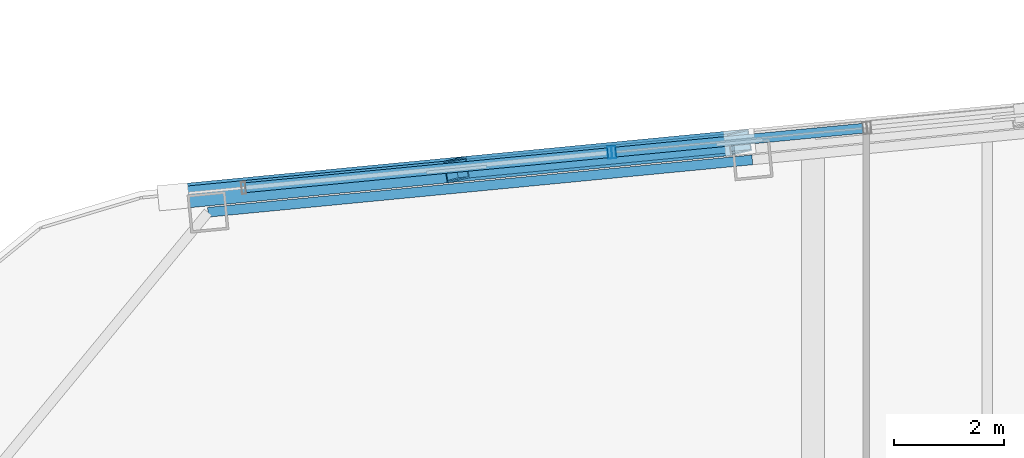
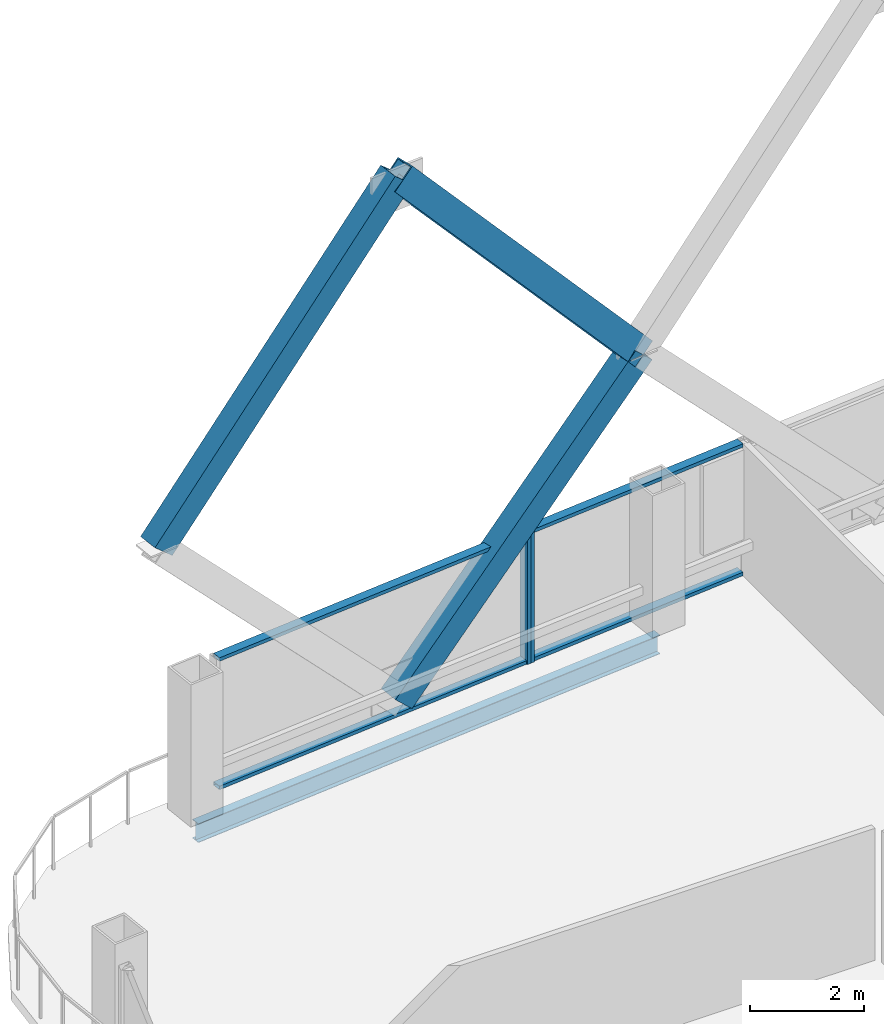
# One storey, part 20 of 34: 9 members, 1 beam, 2 elements without a shape of their own.
"""IFC4 building model written with IfcOpenShell, lengths in metres."""

from ifc_helpers import new_model, si_unit, direction, frame, origin, origin_2d, place, context, subcontext, project, spatial, hollow_rectangle, i_section, extrude, material, layer, layer_set, material_profile, profile_set, type_object, element, aggregate, save


model = new_model("IFC4")

# Units and contexts
model_context = context("Model", 3, precision=1e-05, world=origin(), true_north=direction((0.0, 1.0)))
body_context = subcontext(model_context, "Body", "Model", "MODEL_VIEW")
ifc_project = project(units=[si_unit("LENGTHUNIT", "METRE"), si_unit("AREAUNIT", "SQUARE_METRE"), si_unit("VOLUMEUNIT", "CUBIC_METRE"), si_unit("PLANEANGLEUNIT", "RADIAN"), si_unit("MASSUNIT", "GRAM", prefix="KILO")], contexts=[model_context])

# Site, building, storey
site_placement = place(None, origin())
site = spatial("IfcSite", under=ifc_project, at=site_placement, CompositionType="ELEMENT")
building_placement = place(site_placement, origin())
building = spatial("IfcBuilding", under=site, at=building_placement, Name="Qhalaya Broadcast Tower", CompositionType="ELEMENT")
storey_placement = place(building_placement, frame((0.0, 0.0, 168.35009765625)))
storey = spatial("IfcBuildingStorey", under=building, at=storey_placement, Name="L49", CompositionType="ELEMENT", Elevation=168.35009765625)

# Members
ifc_material_1 = material(Name="Structural Steel ASTM A572 Grade 50", Category="steel")
ifc_material_profile_1 = material_profile(ifc_material_1, hollow_rectangle(XDim=0.39990234375, YDim=0.550048828125, WallThickness=0.02490234375, at=origin_2d()), Name="BOX 400x550x25")
ifc_profile_set_1 = profile_set([ifc_material_profile_1], Name="Structural Steel ASTM A572 Grade 50")
member_type_1 = type_object("IfcMemberType", Name="Exoskeleton Diamond Diagonal Mid-High EX3", PredefinedType="BRACE", material=ifc_profile_set_1)
member_1_placement = place(storey_placement, frame((-15.87060546875, 23.439697265625, 0.35986328125), z_axis=(0.690615647814, 0.066502760768, 0.72015790616), x_axis=(-0.164116501784, 0.984196976573, 0.066498760488)))
element("IfcMember", 1, at=member_1_placement, inside=storey, type_object=member_type_1, Name="B4 Exoskeleton Diamond Brace N3-D1", PredefinedType="BRACE", context=body_context, shape_type="SweptSolid", body=[
    extrude(hollow_rectangle(XDim=0.39990234375, YDim=0.550048828125, WallThickness=0.02490234375, at=origin_2d()), origin(), (0.0, 0.0, 1.0), 7.470703125),
])
member_2_placement = place(storey_placement, frame((-10.711181640625, 23.9365234375, 5.739990234375), z_axis=(-0.659492058015, -0.063505717979, 0.749024198007), x_axis=(0.166870474322, -0.983931783079, 0.063501897979)))
element("IfcMember", 2, at=member_2_placement, inside=storey, type_object=member_type_1, Name="B4 Exoskeleton Diamond Brace N3-D3", PredefinedType="BRACE", context=body_context, shape_type="SweptSolid", body=[
    extrude(hollow_rectangle(XDim=0.39990234375, YDim=0.550048828125, WallThickness=0.02490234375, at=origin_2d()), origin(), (0.0, 0.0, 1.0), 7.8232421875),
])
member_3_placement = place(storey_placement, frame((-21.0302734375, 22.943115234375, 5.739990234375), z_axis=(0.65951099812, 0.06347333066, 0.749010266721), x_axis=(-0.166818573668, 0.983940486369, 0.063503407492)))
element("IfcMember", 3, at=member_3_placement, inside=storey, type_object=member_type_1, Name="B4 Exoskeleton Diamond Brace N3-D4", PredefinedType="BRACE", context=body_context, shape_type="SweptSolid", body=[
    extrude(hollow_rectangle(XDim=0.39990234375, YDim=0.550048828125, WallThickness=0.02490234375, at=origin_2d()), origin(), (0.0, 0.0, 1.0), 7.823486328125),
])

# Curtain wall, member
ifc_material_2 = material(Name="Solar-Control Low-E Triple Glazing", Category="glass")
ifc_layer_1 = layer(ifc_material_2, 0.219970703125, Name="Solar-Control Low-E Triple Glazing")
ifc_layer_set_1 = layer_set([ifc_layer_1], Name="Solar-Control Low-E Triple Glazing")
curtain_wall_type_1 = type_object("IfcCurtainWallType", Name="Even-Block 4-Storey Double-Module Curtain Wall CW-03", PredefinedType="NOTDEFINED", material=ifc_layer_set_1)
curtain_wall_1_placement = place(storey_placement, origin())
curtain_wall_1 = element("IfcCurtainWall", 4, at=curtain_wall_1_placement, inside=storey, type_object=curtain_wall_type_1, Name="L49 Unitised Curtain Wall L49-CW-N4", PredefinedType="NOTDEFINED")
ifc_material_3 = material(Name="Anodised Aluminium 6063-T6", Category="aluminium")
ifc_material_profile_2 = material_profile(ifc_material_3, hollow_rectangle(XDim=0.074951171875, YDim=0.219970703125, WallThickness=0.00390625, at=origin_2d()), Name="ALU-MUL 75x220x4")
ifc_profile_set_2 = profile_set([ifc_material_profile_2], Name="Anodised Aluminium 6063-T6")
member_type_2 = type_object("IfcMemberType", Name="Unitised Curtain-Wall Mullion M01", PredefinedType="MULLION", material=ifc_profile_set_2)
member_4_placement = place(storey_placement, frame((-13.003662109375, 23.756103515625, 0.0), z_axis=(0.0, 0.0, 1.0), x_axis=(-0.995395691478, -0.095851016624, 0.0)))
member_4 = element("IfcMember", 5, at=member_4_placement, type_object=member_type_2, Name="CW-03 mullion 2", PredefinedType="MULLION", context=body_context, shape_type="SweptSolid", body=[
    extrude(hollow_rectangle(XDim=0.074951171875, YDim=0.219970703125, WallThickness=0.00390625, at=origin_2d()), origin(), (0.0, 0.0, 1.0), 2.829833984375),
])

ifc_material_4 = material(Name="Fired Architectural Terracotta", Category="masonry")
ifc_layer_2 = layer(ifc_material_4, 0.219970703125, Name="Fired Architectural Terracotta")
ifc_layer_set_2 = layer_set([ifc_layer_2], Name="Fired Architectural Terracotta")
curtain_wall_type_2 = type_object("IfcCurtainWallType", Name="Block-Cap Unitised Terracotta Spandrel Wall CW-07", PredefinedType="NOTDEFINED", material=ifc_layer_set_2)
curtain_wall_2_placement = place(storey_placement, origin())
curtain_wall_2 = element("IfcCurtainWall", 6, at=curtain_wall_2_placement, inside=storey, type_object=curtain_wall_type_2, Name="L49 Unitised Curtain Wall L49-CW-N5", PredefinedType="NOTDEFINED")
member_5_placement = place(storey_placement, frame((-13.078369140625, 23.748779296875, 0.0), z_axis=(0.0, 0.0, 1.0), x_axis=(-0.99539669829, -0.095840560477, 0.0)))
member_5 = element("IfcMember", 7, at=member_5_placement, type_object=member_type_2, Name="CW-07 mullion 1", PredefinedType="MULLION", context=body_context, shape_type="SweptSolid", body=[
    extrude(hollow_rectangle(XDim=0.074951171875, YDim=0.219970703125, WallThickness=0.00390625, at=origin_2d()), origin(), (0.0, 0.0, 1.0), 2.829833984375),
])

# Member
ifc_material_profile_3 = material_profile(ifc_material_3, hollow_rectangle(XDim=0.074951171875, YDim=0.179931640625, WallThickness=0.00390625, at=origin_2d()), Name="ALU-TRN 75x180x4")
ifc_profile_set_3 = profile_set([ifc_material_profile_3], Name="Anodised Aluminium 6063-T6")
member_type_3 = type_object("IfcMemberType", Name="Unitised Curtain-Wall Transom T01", PredefinedType="USERDEFINED", material=ifc_profile_set_3)
member_6_placement = place(storey_placement, frame((-8.463134765625, 24.193115234375, 0.037353515625), z_axis=(-0.995396463484, -0.095842999141, 0.0), x_axis=(0.0, 0.0, 1.0)))
member_6 = element("IfcMember", 8, at=member_6_placement, type_object=member_type_3, Name="CW-03 transom 1.1", ObjectType="TRANSOM", PredefinedType="USERDEFINED", context=body_context, shape_type="SweptSolid", body=[
    extrude(hollow_rectangle(XDim=0.074951171875, YDim=0.179931640625, WallThickness=0.00390625, at=origin_2d()), origin(), (0.0, 0.0, 1.0), 4.52392578125),
])

member_7_placement = place(storey_placement, frame((-8.463134765625, 24.193115234375, 2.79248046875), z_axis=(-0.995396463484, -0.095842999141, 0.0), x_axis=(0.0, 0.0, 1.0)))
member_7 = element("IfcMember", 9, at=member_7_placement, type_object=member_type_3, Name="CW-03 transom 1.2", ObjectType="TRANSOM", PredefinedType="USERDEFINED", context=body_context, shape_type="SweptSolid", body=[
    extrude(hollow_rectangle(XDim=0.074951171875, YDim=0.179931640625, WallThickness=0.00390625, at=origin_2d()), origin(), (0.0, 0.0, 1.0), 4.52392578125),
])

aggregate(curtain_wall_1, [member_4, member_6, member_7])

member_8_placement = place(storey_placement, frame((-13.11572265625, 23.7451171875, 0.037353515625), z_axis=(-0.995398970792, -0.095816955422, 0.0), x_axis=(0.0, 0.0, 1.0)))
member_8 = element("IfcMember", 10, at=member_8_placement, type_object=member_type_3, Name="CW-07 transom 1.1", ObjectType="TRANSOM", PredefinedType="USERDEFINED", context=body_context, shape_type="SweptSolid", body=[
    extrude(hollow_rectangle(XDim=0.074951171875, YDim=0.179931640625, WallThickness=0.00390625, at=origin_2d()), origin(), (0.0, 0.0, 1.0), 6.6298828125),
])

member_9_placement = place(storey_placement, frame((-13.11572265625, 23.7451171875, 2.79248046875), z_axis=(-0.995398970792, -0.095816955422, 0.0), x_axis=(0.0, 0.0, 1.0)))
member_9 = element("IfcMember", 11, at=member_9_placement, type_object=member_type_3, Name="CW-07 transom 1.2", ObjectType="TRANSOM", PredefinedType="USERDEFINED", context=body_context, shape_type="SweptSolid", body=[
    extrude(hollow_rectangle(XDim=0.074951171875, YDim=0.179931640625, WallThickness=0.00390625, at=origin_2d()), origin(), (0.0, 0.0, 1.0), 6.6298828125),
])

aggregate(curtain_wall_2, [member_5, member_8, member_9])

# Beam
ifc_material_5 = material(Name="Structural Steel ASTM A992 Grade 50", Category="steel")
ifc_material_profile_4 = material_profile(ifc_material_5, i_section(OverallWidth=0.177978515625, OverallDepth=0.406005859375, WebThickness=0.0078125, FlangeThickness=0.0126953125, at=origin_2d()), Name="W16X40")
ifc_profile_set_4 = profile_set([ifc_material_profile_4], Name="Structural Steel ASTM A992 Grade 50")
beam_type = type_object("IfcBeamType", Name="Upper Perimeter Spandrel Beam SP2", PredefinedType="SPANDREL", material=ifc_profile_set_4)
beam_placement = place(storey_placement, frame((-10.4794921875, 23.6171875, -0.423095703125), z_axis=(-0.995398071879, -0.095826293365, 0.0), x_axis=(0.095826293365, -0.995398071879, 0.0)))
element("IfcBeam", 12, at=beam_placement, inside=storey, type_object=beam_type, Name="L49 SP2 L49-SPR-11", PredefinedType="SPANDREL", context=body_context, shape_type="SweptSolid", body=[
    extrude(i_section(OverallWidth=0.177978515625, OverallDepth=0.406005859375, WebThickness=0.0078125, FlangeThickness=0.0126953125, at=origin_2d()), origin(), (0.0, 0.0, 1.0), 9.966796875),
])

save(model, "model.ifc")
